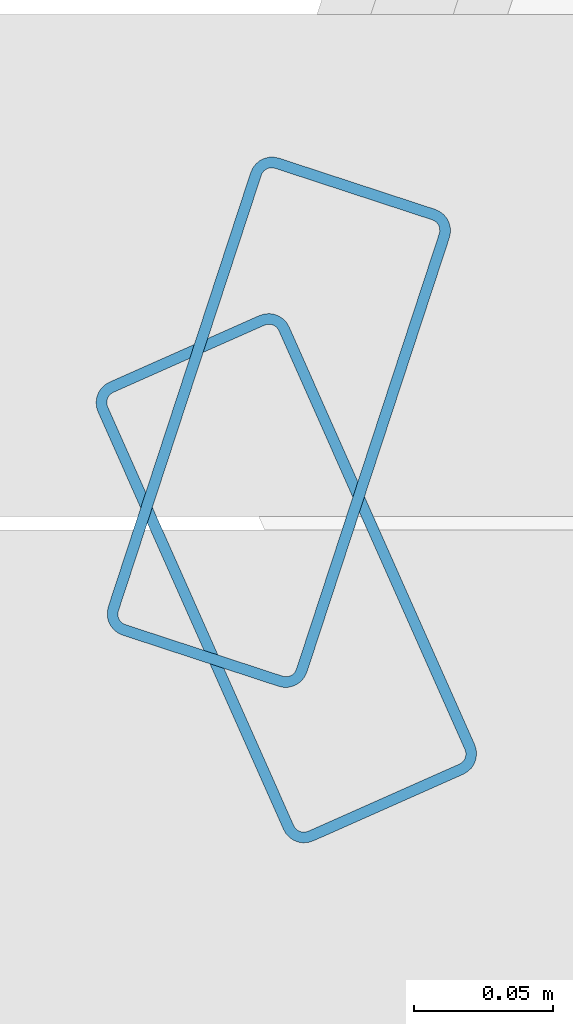
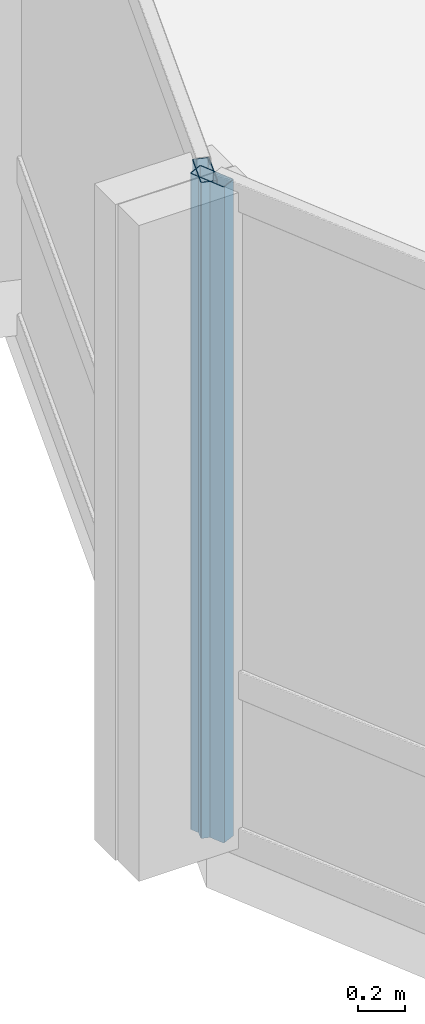
# One storey, part 6 of 29: 2 members, 2 elements without a shape of their own.
"""IFC4 building model written with IfcOpenShell, lengths in metres."""

from ifc_helpers import new_model, si_unit, direction, frame, origin, origin_2d, place, context, subcontext, project, spatial, hollow_rectangle, extrude, material, layer, layer_set, material_profile, profile_set, type_object, element, aggregate, save


model = new_model("IFC4")

# Units and contexts
model_context = context("Model", 3, precision=1e-05, world=origin(), true_north=direction((0.0, 1.0)))
body_context = subcontext(model_context, "Body", "Model", "MODEL_VIEW")
ifc_project = project(units=[si_unit("LENGTHUNIT", "METRE"), si_unit("AREAUNIT", "SQUARE_METRE"), si_unit("VOLUMEUNIT", "CUBIC_METRE"), si_unit("PLANEANGLEUNIT", "RADIAN"), si_unit("MASSUNIT", "GRAM", prefix="KILO")], contexts=[model_context])

# Site, building, storey
site_placement = place(None, origin())
site = spatial("IfcSite", under=ifc_project, at=site_placement, CompositionType="ELEMENT")
building_placement = place(site_placement, origin())
building = spatial("IfcBuilding", under=site, at=building_placement, Name="Solvaryn Broadcast Tower", CompositionType="ELEMENT")
storey_placement = place(building_placement, frame((0.0, 0.0, 128.5)))
storey = spatial("IfcBuildingStorey", under=building, at=storey_placement, Name="L31", CompositionType="ELEMENT", Elevation=128.5)

# Curtain wall, member
ifc_material_1 = material(Name="Aluminium and Terracotta Unitised Curtain Wall", Category="masonry")
ifc_layer_1 = layer(ifc_material_1, 0.199951171875)
ifc_layer_set_1 = layer_set([ifc_layer_1], Name="CW-SYS2-LOWMID")
curtain_wall_type_1 = type_object("IfcCurtainWallType", Name="CW-SYS2-LOWMID", PredefinedType="NOTDEFINED", material=ifc_layer_set_1)
curtain_wall_1_placement = place(storey_placement, origin())
curtain_wall_1 = element("IfcCurtainWall", 1, at=curtain_wall_1_placement, inside=storey, type_object=curtain_wall_type_1, Name="L31 Curtain Wall DR1", PredefinedType="NOTDEFINED")
ifc_material_2 = material(Name="Anodised Aluminium 6063-T6", Category="aluminium")
ifc_material_profile = material_profile(ifc_material_2, hollow_rectangle(XDim=0.074951171875, YDim=0.179931640625, WallThickness=0.00390625, InnerFilletRadius=0.00390625, OuterFilletRadius=0.008056640625, at=origin_2d()))
ifc_profile_set = profile_set([ifc_material_profile], Name="Anodised Aluminium 6063-T6")
member_type = type_object("IfcMemberType", Name="CW-MUL-180", PredefinedType="MULLION", material=ifc_profile_set)
member_1_placement = place(storey_placement, frame((1.04345703125, 26.66455078125, 0.0), z_axis=(0.0, 0.0, 1.0), x_axis=(0.950198260794, -0.311646057547, 0.0)))
member_1 = element("IfcMember", 2, at=member_1_placement, type_object=member_type, Name="CWS2 mullion 2", PredefinedType="MULLION", context=body_context, shape_type="SweptSolid", body=[
    extrude(hollow_rectangle(XDim=0.074951171875, YDim=0.179931640625, WallThickness=0.00390625, InnerFilletRadius=0.00390625, OuterFilletRadius=0.008056640625, at=origin_2d()), origin(), (0.0, 0.0, 1.0), 3.419921875),
])
aggregate(curtain_wall_1, [member_1])

ifc_material_3 = material(Name="Aluminium and Terracotta Unitised Curtain Wall", Category="masonry")
ifc_layer_2 = layer(ifc_material_3, 0.239990234375)
ifc_layer_set_2 = layer_set([ifc_layer_2], Name="CW-SYS3-BAYBOX")
curtain_wall_type_2 = type_object("IfcCurtainWallType", Name="CW-SYS3-BAYBOX", PredefinedType="NOTDEFINED", material=ifc_layer_set_2)
curtain_wall_2_placement = place(storey_placement, origin())
curtain_wall_2 = element("IfcCurtainWall", 3, at=curtain_wall_2_placement, inside=storey, type_object=curtain_wall_type_2, Name="L31 Curtain Wall DR2", PredefinedType="NOTDEFINED")
member_2_placement = place(storey_placement, frame((1.046142578125, 26.608642578125, 0.0), z_axis=(0.0, 0.0, 1.0), x_axis=(0.913909311008, 0.405918429309, 0.0)))
member_2 = element("IfcMember", 4, at=member_2_placement, type_object=member_type, Name="CWS3 mullion 1", PredefinedType="MULLION", context=body_context, shape_type="SweptSolid", body=[
    extrude(hollow_rectangle(XDim=0.074951171875, YDim=0.179931640625, WallThickness=0.00390625, InnerFilletRadius=0.00390625, OuterFilletRadius=0.008056640625, at=origin_2d()), origin(), (0.0, 0.0, 1.0), 3.419921875),
])
aggregate(curtain_wall_2, [member_2])

save(model, "model.ifc")
